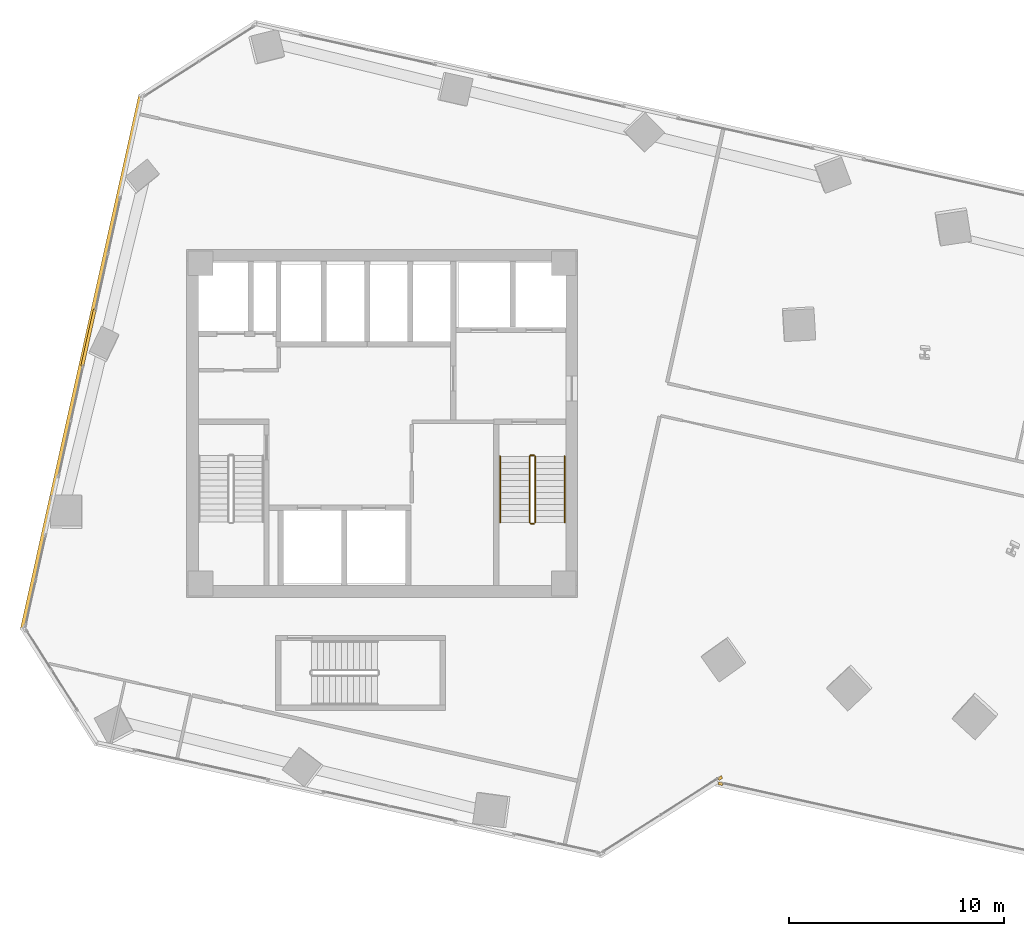
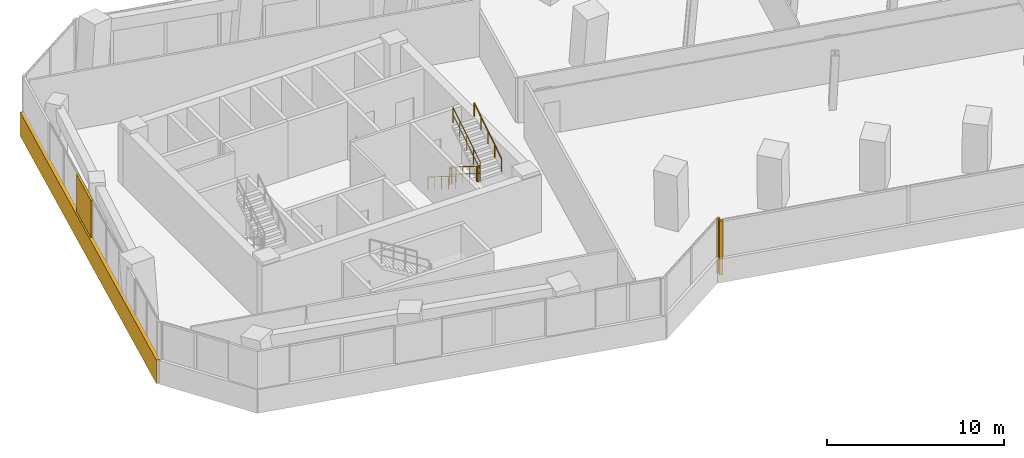
# One storey, part 23 of 25: 6 railings, 4 coverings.
"""IFC4 building model written with IfcOpenShell, lengths in metres."""

from ifc_helpers import new_model, si_unit, direction, frame, origin, origin_2d, place, context, subcontext, project, spatial, rectangle, circle, extrude, source, transform, mapped, material, layer, layer_set, type_object, element, save


model = new_model("IFC4")

# Units and contexts
model_context = context("Model", 3, precision=1e-05, world=origin(), true_north=direction((0.0, 1.0)))
body_context = subcontext(model_context, "Body", "Model", "MODEL_VIEW")
ifc_project = project(units=[si_unit("LENGTHUNIT", "METRE"), si_unit("AREAUNIT", "SQUARE_METRE"), si_unit("VOLUMEUNIT", "CUBIC_METRE"), si_unit("PLANEANGLEUNIT", "RADIAN"), si_unit("MASSUNIT", "GRAM", prefix="KILO")], contexts=[model_context])

# Site, building, storey
site_placement = place(None, origin())
site = spatial("IfcSite", under=ifc_project, at=site_placement, CompositionType="ELEMENT")
building_placement = place(site_placement, origin())
building = spatial("IfcBuilding", under=site, at=building_placement, Name="Torre Montelarca", CompositionType="ELEMENT")
storey_placement = place(building_placement, frame((0.0, 0.0, 91.60009765625)))
storey = spatial("IfcBuildingStorey", under=building, at=storey_placement, Name="L20", CompositionType="ELEMENT", Elevation=91.60009765625)

# Railings
ifc_material_1 = material(Name="Powder-coated steel ASTM A500 Grade C", Category="steel")
railing_type_1 = type_object("IfcRailingType", Name="RL-GUARD-1100", PredefinedType="BALUSTRADE", material=ifc_material_1)
railing_1_placement = place(storey_placement, frame((24.8701171875, 30.469970703125, 0.1748046875)))
element("IfcRailing", 1, at=railing_1_placement, inside=storey, type_object=railing_type_1, Name="L20 ST2 stair guard 1", PredefinedType="BALUSTRADE", context=body_context, shape_type="SweptSolid", body=[
    extrude(circle(Radius=0.02392578125, at=origin_2d()), frame((0.0, 0.0, 1.076171875), z_axis=(0.0, -0.847998304005, 0.529998940003), x_axis=(1.0, 0.0, 0.0)), (0.0, 0.0, 1.0), 3.632080078125),
    extrude(circle(Radius=0.02099609375, at=origin_2d()), frame((0.0, 0.0, 0.572021484375), z_axis=(0.0, -0.847998304005, 0.529998940003), x_axis=(1.0, 0.0, 0.0)), (0.0, 0.0, 1.0), 3.632080078125),
    extrude(circle(Radius=0.02099609375, at=origin_2d()), origin(), (0.0, 0.0, 1.0), 1.052001953125),
    extrude(circle(Radius=0.02099609375, at=origin_2d()), frame((0.0, -0.77001953125, 0.481201171875)), (0.0, 0.0, 1.0), 1.052001953125),
    extrude(circle(Radius=0.02099609375, at=origin_2d()), frame((0.0, -1.5400390625, 0.96240234375)), (0.0, 0.0, 1.0), 1.052001953125),
    extrude(circle(Radius=0.02099609375, at=origin_2d()), frame((0.0, -2.31005859375, 1.44384765625)), (0.0, 0.0, 1.0), 1.052001953125),
    extrude(circle(Radius=0.02099609375, at=origin_2d()), frame((0.0, -3.080078125, 1.925048828125)), (0.0, 0.0, 1.0), 1.052001953125),
])
railing_2_placement = place(storey_placement, frame((24.919921875, 27.340087890625, 2.099853515625)))
element("IfcRailing", 2, at=railing_2_placement, inside=storey, type_object=railing_type_1, Name="L20 ST2 stair guard 2", PredefinedType="BALUSTRADE", context=body_context, shape_type="SweptSolid", body=[
    extrude(circle(Radius=0.02392578125, at=origin_2d()), frame((0.0, 0.0, 1.076171875), z_axis=(1.0, 0.0, 0.0), x_axis=(0.0, 1.0, 0.0)), (0.0, 0.0, 1.0), 0.150146484375),
    extrude(circle(Radius=0.02099609375, at=origin_2d()), frame((0.0, 0.0, 0.572021484375), z_axis=(1.0, 0.0, 0.0), x_axis=(0.0, 1.0, 0.0)), (0.0, 0.0, 1.0), 0.150146484375),
    extrude(circle(Radius=0.02099609375, at=origin_2d()), origin(), (0.0, 0.0, 1.0), 1.052001953125),
    extrude(circle(Radius=0.02099609375, at=origin_2d()), frame((0.150146484375, 0.0, 0.0)), (0.0, 0.0, 1.0), 1.052001953125),
])
railing_3_placement = place(storey_placement, frame((25.1201171875, 27.389892578125, 2.27490234375)))
element("IfcRailing", 3, at=railing_3_placement, inside=storey, type_object=railing_type_1, Name="L20 ST2 stair guard 3", PredefinedType="BALUSTRADE", context=body_context, shape_type="SweptSolid", body=[
    extrude(circle(Radius=0.02392578125, at=origin_2d()), frame((0.0, 0.0, 1.076171875), z_axis=(0.0, 0.847998304005, 0.529998940003), x_axis=(-1.0, 0.0, 0.0)), (0.0, 0.0, 1.0), 3.632080078125),
    extrude(circle(Radius=0.02099609375, at=origin_2d()), frame((0.0, 0.0, 0.572021484375), z_axis=(0.0, 0.847998304005, 0.529998940003), x_axis=(-1.0, 0.0, 0.0)), (0.0, 0.0, 1.0), 3.632080078125),
    extrude(circle(Radius=0.02099609375, at=origin_2d()), origin(), (0.0, 0.0, 1.0), 1.052001953125),
    extrude(circle(Radius=0.02099609375, at=origin_2d()), frame((0.0, 0.77001953125, 0.481201171875)), (0.0, 0.0, 1.0), 1.052001953125),
    extrude(circle(Radius=0.02099609375, at=origin_2d()), frame((0.0, 1.5400390625, 0.96240234375)), (0.0, 0.0, 1.0), 1.052001953125),
    extrude(circle(Radius=0.02099609375, at=origin_2d()), frame((0.0, 2.31005859375, 1.44384765625)), (0.0, 0.0, 1.0), 1.052001953125),
    extrude(circle(Radius=0.02099609375, at=origin_2d()), frame((0.0, 3.080078125, 1.925048828125)), (0.0, 0.0, 1.0), 1.052001953125),
])
railing_4_placement = place(storey_placement, frame((24.919921875, 30.52001953125, 0.0)))
element("IfcRailing", 4, at=railing_4_placement, inside=storey, type_object=railing_type_1, Name="L20 ST2 stair guard 4", PredefinedType="BALUSTRADE", context=body_context, shape_type="SweptSolid", body=[
    extrude(circle(Radius=0.02392578125, at=origin_2d()), frame((0.0, 0.0, 1.076171875), z_axis=(1.0, 0.0, 0.0), x_axis=(0.0, 1.0, 0.0)), (0.0, 0.0, 1.0), 0.150146484375),
    extrude(circle(Radius=0.02099609375, at=origin_2d()), frame((0.0, 0.0, 0.572021484375), z_axis=(1.0, 0.0, 0.0), x_axis=(0.0, 1.0, 0.0)), (0.0, 0.0, 1.0), 0.150146484375),
    extrude(circle(Radius=0.02099609375, at=origin_2d()), origin(), (0.0, 0.0, 1.0), 1.052001953125),
    extrude(circle(Radius=0.02099609375, at=origin_2d()), frame((0.150146484375, 0.0, 0.0)), (0.0, 0.0, 1.0), 1.052001953125),
])
ifc_material_2 = material(Name="Brushed stainless steel AISI 316", Category="steel")
railing_type_2 = type_object("IfcRailingType", Name="RL-HANDRAIL-900", PredefinedType="HANDRAIL", material=ifc_material_2)
railing_5_placement = place(storey_placement, frame((23.489990234375, 30.469970703125, 0.1748046875)))
element("IfcRailing", 5, at=railing_5_placement, inside=storey, type_object=railing_type_2, Name="L20 ST2 stair handrail 1", PredefinedType="HANDRAIL", context=body_context, shape_type="SweptSolid", body=[
    extrude(circle(Radius=0.02392578125, at=origin_2d()), frame((0.0, 0.0, 0.8759765625), z_axis=(0.0, -0.847998304005, 0.529998940003), x_axis=(1.0, 0.0, 0.0)), (0.0, 0.0, 1.0), 3.632080078125),
    extrude(circle(Radius=0.02099609375, at=origin_2d()), origin(), (0.0, 0.0, 1.0), 0.851806640625),
    extrude(circle(Radius=0.02099609375, at=origin_2d()), frame((0.0, -0.77001953125, 0.481201171875)), (0.0, 0.0, 1.0), 0.851806640625),
    extrude(circle(Radius=0.02099609375, at=origin_2d()), frame((0.0, -1.5400390625, 0.96240234375)), (0.0, 0.0, 1.0), 0.851806640625),
    extrude(circle(Radius=0.02099609375, at=origin_2d()), frame((0.0, -2.31005859375, 1.44384765625)), (0.0, 0.0, 1.0), 0.851806640625),
    extrude(circle(Radius=0.02099609375, at=origin_2d()), frame((0.0, -3.080078125, 1.925048828125)), (0.0, 0.0, 1.0), 0.851806640625),
])
railing_6_placement = place(storey_placement, frame((26.5, 27.389892578125, 2.27490234375)))
element("IfcRailing", 6, at=railing_6_placement, inside=storey, type_object=railing_type_2, Name="L20 ST2 stair handrail 2", PredefinedType="HANDRAIL", context=body_context, shape_type="SweptSolid", body=[
    extrude(circle(Radius=0.02392578125, at=origin_2d()), frame((0.0, 0.0, 0.8759765625), z_axis=(0.0, 0.847998304005, 0.529998940003), x_axis=(-1.0, 0.0, 0.0)), (0.0, 0.0, 1.0), 3.632080078125),
    extrude(circle(Radius=0.02099609375, at=origin_2d()), origin(), (0.0, 0.0, 1.0), 0.851806640625),
    extrude(circle(Radius=0.02099609375, at=origin_2d()), frame((0.0, 0.77001953125, 0.481201171875)), (0.0, 0.0, 1.0), 0.851806640625),
    extrude(circle(Radius=0.02099609375, at=origin_2d()), frame((0.0, 1.5400390625, 0.96240234375)), (0.0, 0.0, 1.0), 0.851806640625),
    extrude(circle(Radius=0.02099609375, at=origin_2d()), frame((0.0, 2.31005859375, 1.44384765625)), (0.0, 0.0, 1.0), 0.851806640625),
    extrude(circle(Radius=0.02099609375, at=origin_2d()), frame((0.0, 3.080078125, 1.925048828125)), (0.0, 0.0, 1.0), 0.851806640625),
])

# Coverings
ifc_material_3 = material(Name="Bush-hammered warm white precast concrete C45/55", Category="concrete")
ifc_layer = layer(ifc_material_3, 0.139892578125, Name="Bush-hammered warm white precast concrete C45/55", Category="concrete")
ifc_layer_set = layer_set([ifc_layer], Name="Bush-hammered warm white precast concrete C45/55")
covering_type = type_object("IfcCoveringType", Name="COV-TRAY-CLAD", PredefinedType="CLADDING", material=ifc_layer_set)
shared_shape_1 = source(origin(), body_context, "Body", "SweptSolid", [
    extrude(rectangle(XDim=25.52001953125, YDim=0.219970703125, at=origin_2d()), origin(), (0.0, 0.0, 1.0), 1.6201171875),
])
covering_1_placement = place(storey_placement, frame((4.032470703125, 34.84814453125, -0.4501953125), z_axis=(0.0, 0.0, 1.0), x_axis=(-0.216441317896, -0.97629562936, 0.0)))
element("IfcCovering", 7, at=covering_1_placement, inside=storey, type_object=covering_type, Name="L20 Architectural White Spandrel Tray Band TRYBOT-10", PredefinedType="CLADDING", context=body_context, shape_type="MappedRepresentation", body=[
    mapped(shared_shape_1, transform((0.0, 0.0, 0.0), scale=1.0)),
])
shared_shape_2 = source(origin(), body_context, "Body", "SweptSolid", [
    extrude(rectangle(XDim=0.199951171875, YDim=0.139892578125, at=origin_2d()), origin(), (0.0, 0.0, 1.0), 3.719970703125),
])
for number, where, z_axis, x_axis, name in (
    (8, (33.7333984375, 15.502685546875, 0.0), (0.0, 0.0, 1.0), (0.843383943613, 0.537311384261, 0.0), "L20 Architectural Column Pier Cladding E02-2"),
    (9, (33.7548828125, 15.240234375, 0.0), (0.0, 0.0, 1.0), (0.97629751813, -0.216432798101, 0.0), "L20 Architectural Column Pier Cladding E04-1"),
):
    element("IfcCovering", number, at=place(storey_placement, frame(where, z_axis=z_axis, x_axis=x_axis)), inside=storey, type_object=covering_type, Name=name, PredefinedType="CLADDING", context=body_context, shape_type="MappedRepresentation", body=[
        mapped(shared_shape_2, transform((0.0, 0.0, 0.0), scale=1.0)),
    ])
shared_shape_3 = source(origin(), body_context, "Body", "SweptSolid", [
    extrude(rectangle(XDim=2.7275390625, YDim=0.139892578125, at=origin_2d()), origin(), (0.0, 0.0, 1.0), 3.719970703125),
])
covering_2_placement = place(storey_placement, frame((4.34716796875, 35.990966796875, 0.0), z_axis=(0.0, 0.0, 1.0), x_axis=(-0.216441317896, -0.97629562936, 0.0)))
element("IfcCovering", 10, at=covering_2_placement, inside=storey, type_object=covering_type, Name="L20 Architectural Column Pier Cladding E10-3", PredefinedType="CLADDING", context=body_context, shape_type="MappedRepresentation", body=[
    mapped(shared_shape_3, transform((0.0, 0.0, 0.0), scale=1.0)),
])

save(model, "model.ifc")
